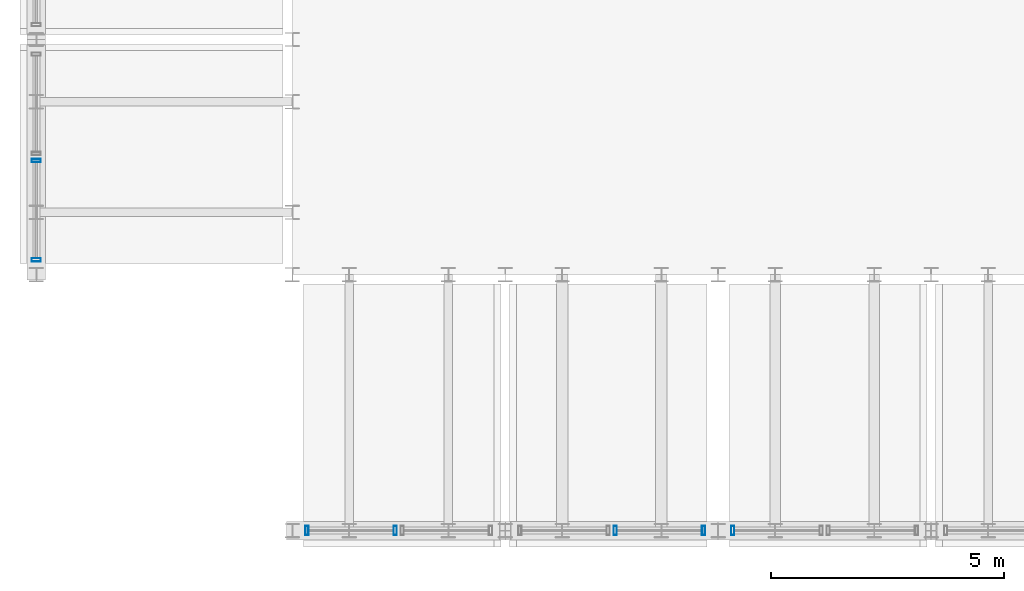
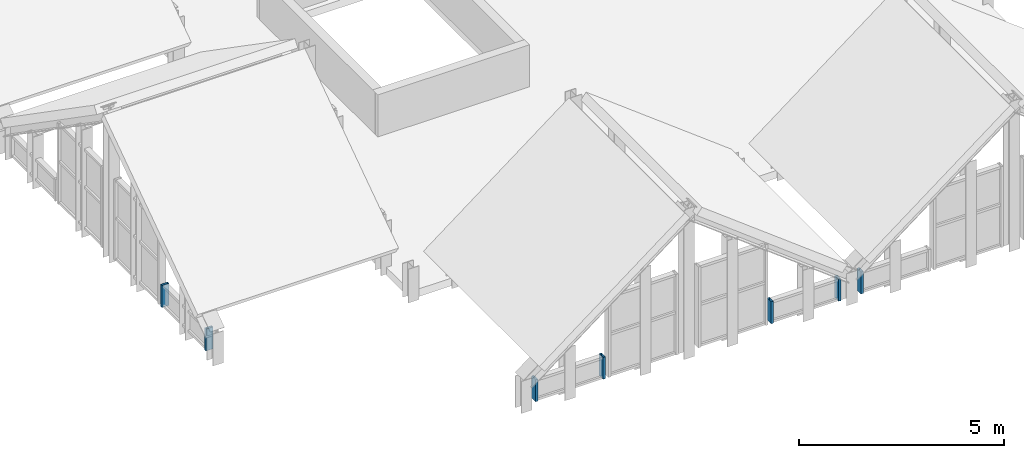
# One storey, part 12 of 21: 7 members, 4 elements without a shape of their own.
"""IFC4 building model written with IfcOpenShell, lengths in metres."""

from ifc_helpers import new_model, si_unit, direction, frame, origin, origin_2d, place, context, subcontext, project, spatial, hollow_rectangle, extrude, source, transform, mapped, material, layer, layer_set, material_profile, profile_set, type_object, element, aggregate, save


model = new_model("IFC4")

# Units and contexts
model_context = context("Model", 3, precision=1e-05, world=origin(), true_north=direction((0.0, 1.0)))
body_context = subcontext(model_context, "Body", "Model", "MODEL_VIEW")
ifc_project = project(units=[si_unit("LENGTHUNIT", "METRE"), si_unit("AREAUNIT", "SQUARE_METRE"), si_unit("VOLUMEUNIT", "CUBIC_METRE"), si_unit("PLANEANGLEUNIT", "RADIAN"), si_unit("MASSUNIT", "GRAM", prefix="KILO")], contexts=[model_context])

# Site, building, storey
site_placement = place(None, origin())
site = spatial("IfcSite", under=ifc_project, at=site_placement, CompositionType="ELEMENT")
building_placement = place(site_placement, origin())
building = spatial("IfcBuilding", under=site, at=building_placement, Name="Saelheon Loggia Tower", CompositionType="ELEMENT")
storey_placement = place(building_placement, frame((0.0, 0.0, 275.0)))
storey = spatial("IfcBuildingStorey", under=building, at=storey_placement, Name="ROOF", CompositionType="ELEMENT", Elevation=275.0)

# Curtain wall, members
ifc_material_1 = material(Name="Bronze-Anodised Aluminium and Fritted Ceramic Screen", Category="aluminium")
ifc_layer = layer(ifc_material_1, 0.219970703125)
ifc_layer_set = layer_set([ifc_layer], Name="Bronze-Anodised Aluminium and Fritted Ceramic Screen")
curtain_wall_type = type_object("IfcCurtainWallType", Name="CW_CrownScreen", PredefinedType="NOTDEFINED", material=ifc_layer_set)
curtain_wall_1_placement = place(storey_placement, origin())
curtain_wall_1 = element("IfcCurtainWall", 1, at=curtain_wall_1_placement, inside=storey, type_object=curtain_wall_type, Name="ROOF Wave Crest Curtain Wall W 01-1", PredefinedType="NOTDEFINED")
ifc_material_2 = material(Name="Bronze-Anodised Aluminium 6063-T6", Category="aluminium")
ifc_material_profile = material_profile(ifc_material_2, hollow_rectangle(XDim=0.070068359375, YDim=0.199951171875, WallThickness=0.0048828125, at=origin_2d()), Name="RHS-200x70x5")
ifc_profile_set = profile_set([ifc_material_profile], Name="Bronze-Anodised Aluminium 6063-T6")
member_type = type_object("IfcMemberType", Name="CW_CrownScreen_Mullion", PredefinedType="MULLION", material=ifc_profile_set)
shared_shape = source(origin(), body_context, "Body", "SweptSolid", [
    extrude(hollow_rectangle(XDim=0.070068359375, YDim=0.199951171875, WallThickness=0.0048828125, at=origin_2d()), origin(), (0.0, 0.0, 1.0), 0.64990234375),
])
member_1_placement = place(storey_placement, frame((23.35009765625, 12.1650390625, 0.02001953125), z_axis=(0.0, 0.0, 1.0), x_axis=(0.0, 1.0, 0.0)))
member_1 = element("IfcMember", 2, at=member_1_placement, type_object=member_type, Name="CW6 mullion 1", PredefinedType="MULLION", context=body_context, shape_type="MappedRepresentation", body=[
    mapped(shared_shape, transform((0.0, 0.0, 0.0), scale=1.0)),
])
member_2_placement = place(storey_placement, frame((23.35009765625, 14.300048828125, 0.02001953125), z_axis=(0.0, 0.0, 1.0), x_axis=(0.0, 1.0, 0.0)))
member_2 = element("IfcMember", 3, at=member_2_placement, type_object=member_type, Name="CW6 mullion 2", PredefinedType="MULLION", context=body_context, shape_type="MappedRepresentation", body=[
    mapped(shared_shape, transform((0.0, 0.0, 0.0), scale=1.0)),
])
aggregate(curtain_wall_1, [member_1, member_2])

curtain_wall_2_placement = place(storey_placement, origin())
curtain_wall_2 = element("IfcCurtainWall", 4, at=curtain_wall_2_placement, inside=storey, type_object=curtain_wall_type, Name="ROOF Wave Crest Curtain Wall S 01-1", PredefinedType="NOTDEFINED")
member_3_placement = place(storey_placement, frame((29.1650390625, 6.35009765625, 0.02001953125), z_axis=(0.0, 0.0, 1.0), x_axis=(1.0, 0.0, 0.0)))
member_3 = element("IfcMember", 5, at=member_3_placement, type_object=member_type, Name="CW6 mullion 1", PredefinedType="MULLION", context=body_context, shape_type="MappedRepresentation", body=[
    mapped(shared_shape, transform((0.0, 0.0, 0.0), scale=1.0)),
])
member_4_placement = place(storey_placement, frame((31.0625, 6.35009765625, 0.02001953125), z_axis=(0.0, 0.0, 1.0), x_axis=(1.0, 0.0, 0.0)))
member_4 = element("IfcMember", 6, at=member_4_placement, type_object=member_type, Name="CW6 mullion 2", PredefinedType="MULLION", context=body_context, shape_type="MappedRepresentation", body=[
    mapped(shared_shape, transform((0.0, 0.0, 0.0), scale=1.0)),
])
aggregate(curtain_wall_2, [member_3, member_4])

curtain_wall_3_placement = place(storey_placement, origin())
curtain_wall_3 = element("IfcCurtainWall", 7, at=curtain_wall_3_placement, inside=storey, type_object=curtain_wall_type, Name="ROOF Wave Crest Curtain Wall S 02-2", PredefinedType="NOTDEFINED")
member_5_placement = place(storey_placement, frame((35.78759765625, 6.35009765625, 0.02001953125), z_axis=(0.0, 0.0, 1.0), x_axis=(1.0, 0.0, 0.0)))
member_5 = element("IfcMember", 8, at=member_5_placement, type_object=member_type, Name="CW6 mullion 1", PredefinedType="MULLION", context=body_context, shape_type="MappedRepresentation", body=[
    mapped(shared_shape, transform((0.0, 0.0, 0.0), scale=1.0)),
])
member_6_placement = place(storey_placement, frame((37.68505859375, 6.35009765625, 0.02001953125), z_axis=(0.0, 0.0, 1.0), x_axis=(1.0, 0.0, 0.0)))
member_6 = element("IfcMember", 9, at=member_6_placement, type_object=member_type, Name="CW6 mullion 2", PredefinedType="MULLION", context=body_context, shape_type="MappedRepresentation", body=[
    mapped(shared_shape, transform((0.0, 0.0, 0.0), scale=1.0)),
])
aggregate(curtain_wall_3, [member_5, member_6])

# Curtain wall, member
curtain_wall_4_placement = place(storey_placement, origin())
curtain_wall_4 = element("IfcCurtainWall", 10, at=curtain_wall_4_placement, inside=storey, type_object=curtain_wall_type, Name="ROOF Wave Crest Curtain Wall S 03-1", PredefinedType="NOTDEFINED")
member_7_placement = place(storey_placement, frame((38.31494140625, 6.35009765625, 0.02001953125), z_axis=(0.0, 0.0, 1.0), x_axis=(1.0, 0.0, 0.0)))
member_7 = element("IfcMember", 11, at=member_7_placement, type_object=member_type, Name="CW6 mullion 1", PredefinedType="MULLION", context=body_context, shape_type="MappedRepresentation", body=[
    mapped(shared_shape, transform((0.0, 0.0, 0.0), scale=1.0)),
])
aggregate(curtain_wall_4, [member_7])

save(model, "model.ifc")
